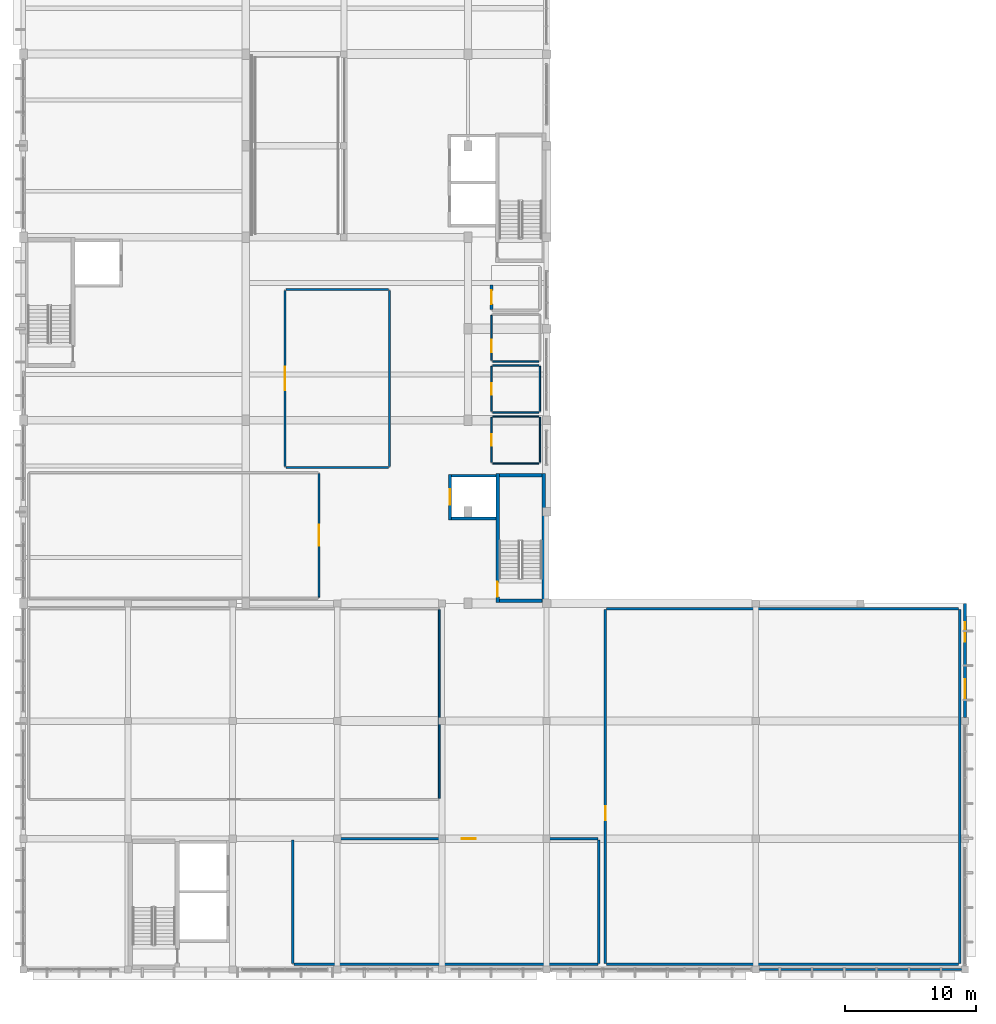
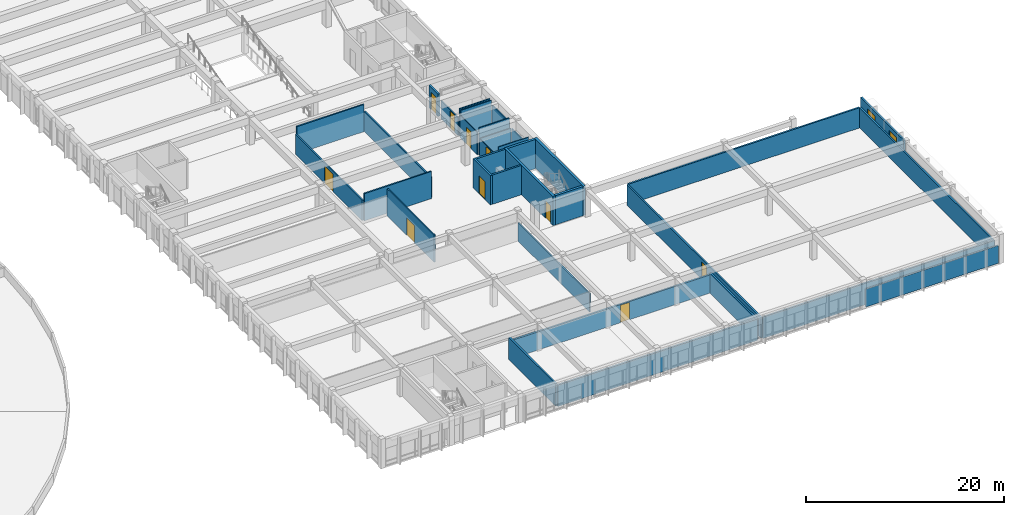
# One storey, part 60 of 77: 34 walls, 10 doors, 2 windows, 12 openings.
"""IFC4 building model written with IfcOpenShell, lengths in metres."""

from ifc_helpers import new_model, si_unit, direction, frame, frame_2d, origin, place, context, subcontext, project, spatial, rectangle, extrude, material, layer, layer_set, type_object, element, fill, save


model = new_model("IFC4")

# Units and contexts
model_context = context("Model", 3, precision=1e-05, world=origin(), true_north=direction((0.0, 1.0)))
body_context = subcontext(model_context, "Body", "Model", "MODEL_VIEW")
ifc_project = project(units=[si_unit("LENGTHUNIT", "METRE"), si_unit("AREAUNIT", "SQUARE_METRE"), si_unit("VOLUMEUNIT", "CUBIC_METRE"), si_unit("PLANEANGLEUNIT", "RADIAN"), si_unit("MASSUNIT", "GRAM", prefix="KILO")], contexts=[model_context])

# Site, building, storey
site_placement = place(None, origin())
site = spatial("IfcSite", under=ifc_project, at=site_placement, CompositionType="ELEMENT")
building_placement = place(site_placement, origin())
building = spatial("IfcBuilding", under=site, at=building_placement, Name="Larkveld Mobility Hub", CompositionType="ELEMENT")
storey_placement = place(building_placement, frame((0.0, 0.0, 12.0)))
storey = spatial("IfcBuildingStorey", under=building, at=storey_placement, Name="L03", CompositionType="ELEMENT", Elevation=12.0)

# Wall
ifc_material_1 = material(Name="Glazed architectural ceramic masonry 20 MPa", Category="masonry")
ifc_layer_1 = layer(ifc_material_1, 0.179931640625, Name="Glazed architectural ceramic masonry 20 MPa", Category="masonry")
ifc_layer_set_1 = layer_set([ifc_layer_1], Name="Glazed architectural ceramic masonry 20 MPa")
wall_type_1 = type_object("IfcWallType", Name="WL-COB-180", PredefinedType="USERDEFINED", material=ifc_layer_set_1)
wall_1_placement = place(storey_placement, frame((168.284912109375, 0.0, 0.0), z_axis=(0.0, 0.0, 1.0), x_axis=(1.0, 0.0, 0.0)))
element("IfcWall", 1, at=wall_1_placement, inside=storey, type_object=wall_type_1, Name="Service Wing South Ventilated Facade L03-0211", ObjectType="CERAMIC COBOGO SCREEN", PredefinedType="USERDEFINED", context=body_context, shape_type="SweptSolid", body=[
    extrude(rectangle(XDim=15.43017578125, YDim=0.179931640625, at=frame_2d((7.715087890625, 0.0))), origin(), (0.0, 0.0, 1.0), 2.195068359375),
])

# Wall, openings, windows
ifc_layer_2 = layer(ifc_material_1, 0.2099609375, Name="Glazed architectural ceramic masonry 20 MPa", Category="masonry")
ifc_layer_set_2 = layer_set([ifc_layer_2], Name="Glazed architectural ceramic masonry 20 MPa")
wall_type_2 = type_object("IfcWallType", Name="WL-COB-210", PredefinedType="USERDEFINED", material=ifc_layer_set_2)
wall_2_placement = place(storey_placement, frame((184.0, 19.284912109375, 0.0), z_axis=(0.0, 0.0, 1.0), x_axis=(0.0, 1.0, 0.0)))
wall_2 = element("IfcWall", 2, at=wall_2_placement, inside=storey, type_object=wall_type_2, Name="Service Wing East Cobogo Screen L03-0212", ObjectType="CERAMIC COBOGO SCREEN", PredefinedType="USERDEFINED", context=body_context, shape_type="SweptSolid", body=[
    extrude(rectangle(XDim=8.715087890625, YDim=0.2099609375, at=frame_2d((4.357421875, 0.0))), origin(), (0.0, 0.0, 1.0), 3.3349609375),
])
opening_1_placement = place(wall_2_placement, frame((1.428955078125, 0.0, 0.949951171875)))
opening_1 = element("IfcOpeningElement", 3, at=opening_1_placement, cuts=wall_2, Name="Opening W11", PredefinedType="OPENING", context=body_context, shape_type="SweptSolid", body=[
    extrude(rectangle(XDim=1.5, YDim=1.800048828125, at=frame_2d((0.75, 0.89990234375))), frame((0.0, 0.114990234375, 0.0), z_axis=(0.0, -1.0, 0.0), x_axis=(1.0, 0.0, 0.0)), (0.0, 0.0, 1.0), 0.22998046875),
])
opening_2_placement = place(wall_2_placement, frame((5.785888671875, 0.0, 0.949951171875)))
opening_2 = element("IfcOpeningElement", 4, at=opening_2_placement, cuts=wall_2, Name="Opening W11", PredefinedType="OPENING", context=body_context, shape_type="SweptSolid", body=[
    extrude(rectangle(XDim=1.5, YDim=1.800048828125, at=frame_2d((0.75, 0.89990234375))), frame((0.0, 0.114990234375, 0.0), z_axis=(0.0, -1.0, 0.0), x_axis=(1.0, 0.0, 0.0)), (0.0, 0.0, 1.0), 0.22998046875),
])
ifc_material_2 = material(Name="Low-E double glazing in aluminium frame", Category="aluminium")
window_type = type_object("IfcWindowType", Name="WN-ALU-11", PartitioningType="SINGLE_PANEL", PredefinedType="WINDOW", material=ifc_material_2)
window_1_placement = place(opening_1_placement, origin())
window_1 = element("IfcWindow", 5, at=window_1_placement, inside=storey, type_object=window_type, Name="Window W11 (1007)", OverallHeight=1.800048828125, OverallWidth=1.5, PartitioningType="SINGLE_PANEL", PredefinedType="WINDOW", context=body_context, shape_type="SweptSolid", body=[
    extrude(rectangle(XDim=1.5, YDim=1.800048828125, at=frame_2d((0.75, 0.89990234375))), frame((0.0, 0.030029296875, 0.0), z_axis=(0.0, -1.0, 0.0), x_axis=(1.0, 0.0, 0.0)), (0.0, 0.0, 1.0), 0.06005859375),
])
fill(opening_1, window_1)
window_2_placement = place(opening_2_placement, origin())
window_2 = element("IfcWindow", 6, at=window_2_placement, inside=storey, type_object=window_type, Name="Window W11 (1008)", OverallHeight=1.800048828125, OverallWidth=1.5, PartitioningType="SINGLE_PANEL", PredefinedType="WINDOW", context=body_context, shape_type="SweptSolid", body=[
    extrude(rectangle(XDim=1.5, YDim=1.800048828125, at=frame_2d((0.75, 0.89990234375))), frame((0.0, 0.030029296875, 0.0), z_axis=(0.0, -1.0, 0.0), x_axis=(1.0, 0.0, 0.0)), (0.0, 0.0, 1.0), 0.06005859375),
])
fill(opening_2, window_2)

# Wall, opening, door
ifc_material_3 = material(Name="Concrete C40/50", Category="concrete")
ifc_layer_3 = layer(ifc_material_3, 0.280029296875, Name="Concrete C40/50", Category="concrete")
ifc_layer_set_3 = layer_set([ifc_layer_3], Name="Concrete C40/50")
wall_type_3 = type_object("IfcWallType", Name="WL-CORE-280", PredefinedType="SHEAR", material=ifc_layer_set_3)
wall_3_placement = place(storey_placement, frame((148.260009765625, 28.070068359375, 0.0), z_axis=(0.0, 0.0, 1.0), x_axis=(0.0, 1.0, 0.0)))
wall_3 = element("IfcWall", 7, at=wall_3_placement, inside=storey, type_object=wall_type_3, Name="Core C1 Stair Shear Wall L03-W", PredefinedType="SHEAR", context=body_context, shape_type="SweptSolid", body=[
    extrude(rectangle(XDim=9.85986328125, YDim=0.280029296875, at=frame_2d((4.929931640625, 0.0))), origin(), (0.0, 0.0, 1.0), 3.60009765625),
])
opening_3_placement = place(wall_3_placement, frame((0.429931640625, 0.0, 0.0)))
opening_3 = element("IfcOpeningElement", 8, at=opening_3_placement, cuts=wall_3, Name="Opening DF01", PredefinedType="OPENING", context=body_context, shape_type="SweptSolid", body=[
    extrude(rectangle(XDim=1.14990234375, YDim=2.14990234375, at=frame_2d((0.574951171875, 1.074951171875))), frame((0.0, 0.14990234375, 0.0), z_axis=(0.0, -1.0, 0.0), x_axis=(1.0, 0.0, 0.0)), (0.0, 0.0, 1.0), 0.300048828125),
])
ifc_material_4 = material(Name="Pressed Steel S355JR fire door assembly", Category="steel")
door_type_1 = type_object("IfcDoorType", Name="DR-FD120", OperationType="NOTDEFINED", PredefinedType="DOOR", material=ifc_material_4)
door_1_placement = place(opening_3_placement, origin())
door_1 = element("IfcDoor", 9, at=door_1_placement, inside=storey, type_object=door_type_1, Name="Stair ST1 Fire Door L03", OperationType="SINGLE_SWING_LEFT", OverallHeight=2.14990234375, OverallWidth=1.14990234375, PredefinedType="DOOR", context=body_context, shape_type="SweptSolid", body=[
    extrude(rectangle(XDim=1.14990234375, YDim=2.14990234375, at=frame_2d((0.574951171875, 1.074951171875))), frame((0.0, 0.02490234375, 0.0), z_axis=(0.0, -1.0, 0.0), x_axis=(1.0, 0.0, 0.0)), (0.0, 0.0, 1.0), 0.050048828125),
])
fill(opening_3, door_1)

# Walls
wall_4_placement = place(storey_placement, frame((151.7900390625, 37.929931640625, 0.0), z_axis=(0.0, 0.0, 1.0), x_axis=(0.0, -1.0, 0.0)))
element("IfcWall", 10, at=wall_4_placement, inside=storey, type_object=wall_type_3, Name="Core C1 Stair Shear Wall L03-E", PredefinedType="SHEAR", context=body_context, shape_type="SweptSolid", body=[
    extrude(rectangle(XDim=9.85986328125, YDim=0.280029296875, at=frame_2d((4.929931640625, 0.0))), origin(), (0.0, 0.0, 1.0), 3.60009765625),
])
for number, where, z_axis, x_axis, name in (
    (11, (151.64990234375, 28.2099609375, 0.0), (0.0, 0.0, 1.0), (-1.0, 0.0, 0.0), "Core C1 Stair Shear Wall L03-S"),
    (12, (148.39990234375, 37.7900390625, 0.0), (0.0, 0.0, 1.0), (1.0, 0.0, 0.0), "Core C1 Stair Shear Wall L03-N"),
):
    element("IfcWall", number, at=place(storey_placement, frame(where, z_axis=z_axis, x_axis=x_axis)), inside=storey, type_object=wall_type_3, Name=name, PredefinedType="SHEAR", context=body_context, shape_type="SweptSolid", body=[
        extrude(rectangle(XDim=3.25, YDim=0.280029296875, at=frame_2d((1.625, 0.0))), origin(), (0.0, 0.0, 1.0), 3.60009765625),
    ])
ifc_material_5 = material(Name="Concrete blockwork masonry 14 MPa", Category="masonry")
ifc_layer_4 = layer(ifc_material_5, 0.10009765625, Name="Concrete blockwork masonry 14 MPa", Category="masonry")
ifc_layer_set_4 = layer_set([ifc_layer_4], Name="Concrete blockwork masonry 14 MPa")
wall_type_4 = type_object("IfcWallType", Name="WL-PRT-100", PredefinedType="PARTITIONING", material=ifc_layer_set_4)
wall_5_placement = place(storey_placement, frame((147.8798828125, 38.699951171875, 0.0), z_axis=(0.0, 0.0, 1.0), x_axis=(1.0, 0.0, 0.0)))
element("IfcWall", 13, at=wall_5_placement, inside=storey, type_object=wall_type_4, Name="Male Public Toilet Partition 0159", PredefinedType="PARTITIONING", context=body_context, shape_type="SweptSolid", body=[
    extrude(rectangle(XDim=3.5341796875, YDim=0.10009765625, at=frame_2d((1.76708984375, 0.0))), origin(), (0.0, 0.0, 1.0), 3.344970703125),
])
wall_6_placement = place(storey_placement, frame((147.8798828125, 42.2939453125, 0.0), z_axis=(0.0, 0.0, 1.0), x_axis=(1.0, 0.0, 0.0)))
element("IfcWall", 14, at=wall_6_placement, inside=storey, type_object=wall_type_4, Name="Male Public Toilet Partition 0160", PredefinedType="PARTITIONING", context=body_context, shape_type="SweptSolid", body=[
    extrude(rectangle(XDim=3.5341796875, YDim=0.10009765625, at=frame_2d((1.76708984375, 0.0))), origin(), (0.0, 0.0, 1.0), 2.2451171875),
])

# Wall, opening, door
wall_7_placement = place(storey_placement, frame((147.800048828125, 38.780029296875, 0.0), z_axis=(0.0, 0.0, 1.0), x_axis=(0.0, 1.0, 0.0)))
wall_7 = element("IfcWall", 15, at=wall_7_placement, inside=storey, type_object=wall_type_4, Name="Male Public Toilet Partition 0161", PredefinedType="PARTITIONING", context=body_context, shape_type="SweptSolid", body=[
    extrude(rectangle(XDim=3.43408203125, YDim=0.10009765625, at=frame_2d((1.717041015625, 0.0))), origin(), (0.0, 0.0, 1.0), 2.2451171875),
])
opening_4_placement = place(wall_7_placement, frame((1.26708984375, 0.0, 0.0)))
opening_4 = element("IfcOpeningElement", 16, at=opening_4_placement, cuts=wall_7, Name="Opening DI01", PredefinedType="OPENING", context=body_context, shape_type="SweptSolid", body=[
    extrude(rectangle(XDim=0.89990234375, YDim=2.10009765625, at=frame_2d((0.449951171875, 1.050048828125))), frame((0.0, 0.06005859375, 0.0), z_axis=(0.0, -1.0, 0.0), x_axis=(1.0, 0.0, 0.0)), (0.0, 0.0, 1.0), 0.1201171875),
])
ifc_material_6 = material(Name="Solid-core hardwood timber door in aluminium frame", Category="wood")
door_type_2 = type_object("IfcDoorType", Name="DR-INT-090", OperationType="NOTDEFINED", PredefinedType="DOOR", material=ifc_material_6)
door_2_placement = place(opening_4_placement, origin())
door_2 = element("IfcDoor", 17, at=door_2_placement, inside=storey, type_object=door_type_2, Name="Male Public Toilet Door 0041", OperationType="SINGLE_SWING_RIGHT", OverallHeight=2.10009765625, OverallWidth=0.89990234375, PredefinedType="DOOR", context=body_context, shape_type="SweptSolid", body=[
    extrude(rectangle(XDim=0.89990234375, YDim=2.10009765625, at=frame_2d((0.449951171875, 1.050048828125))), frame((0.0, 0.02490234375, 0.0), z_axis=(0.0, -1.0, 0.0), x_axis=(1.0, 0.0, 0.0)), (0.0, 0.0, 1.0), 0.050048828125),
])
fill(opening_4, door_2)

# Walls
wall_8_placement = place(storey_placement, frame((151.493896484375, 38.780029296875, 0.0), z_axis=(0.0, 0.0, 1.0), x_axis=(0.0, 1.0, 0.0)))
element("IfcWall", 18, at=wall_8_placement, inside=storey, type_object=wall_type_4, Name="Male Public Toilet Partition 0162", PredefinedType="PARTITIONING", context=body_context, shape_type="SweptSolid", body=[
    extrude(rectangle(XDim=3.43408203125, YDim=0.10009765625, at=frame_2d((1.717041015625, 0.0))), origin(), (0.0, 0.0, 1.0), 2.2451171875),
])
ifc_layer_5 = layer(ifc_material_5, 0.110107421875, Name="Concrete blockwork masonry 14 MPa", Category="masonry")
ifc_layer_set_5 = layer_set([ifc_layer_5], Name="Concrete blockwork masonry 14 MPa")
wall_type_5 = type_object("IfcWallType", Name="WL-PRT-110", PredefinedType="PARTITIONING", material=ifc_layer_set_5)
for number, where, z_axis, x_axis, name in (
    (19, (147.8798828125, 42.60009765625, 0.0), (0.0, 0.0, 1.0), (1.0, 0.0, 0.0), "Female Public Toilet Partition 0163"),
    (20, (147.8798828125, 46.194091796875, 0.0), (0.0, 0.0, 1.0), (1.0, 0.0, 0.0), "Female Public Toilet Partition 0164"),
):
    element("IfcWall", number, at=place(storey_placement, frame(where, z_axis=z_axis, x_axis=x_axis)), inside=storey, type_object=wall_type_5, Name=name, PredefinedType="PARTITIONING", context=body_context, shape_type="SweptSolid", body=[
        extrude(rectangle(XDim=3.5341796875, YDim=0.110107421875, at=frame_2d((1.76708984375, 0.0))), origin(), (0.0, 0.0, 1.0), 3.344970703125),
    ])

# Wall, opening, door
wall_9_placement = place(storey_placement, frame((147.800048828125, 42.679931640625, 0.0), z_axis=(0.0, 0.0, 1.0), x_axis=(0.0, 1.0, 0.0)))
wall_9 = element("IfcWall", 21, at=wall_9_placement, inside=storey, type_object=wall_type_5, Name="Female Public Toilet Partition 0165", PredefinedType="PARTITIONING", context=body_context, shape_type="SweptSolid", body=[
    extrude(rectangle(XDim=3.43408203125, YDim=0.110107421875, at=frame_2d((1.717041015625, 0.0))), origin(), (0.0, 0.0, 1.0), 2.7548828125),
])
opening_5_placement = place(wall_9_placement, frame((1.26708984375, 0.0, 0.0)))
opening_5 = element("IfcOpeningElement", 22, at=opening_5_placement, cuts=wall_9, Name="Opening DI01", PredefinedType="OPENING", context=body_context, shape_type="SweptSolid", body=[
    extrude(rectangle(XDim=0.89990234375, YDim=2.10009765625, at=frame_2d((0.449951171875, 1.050048828125))), frame((0.0, 0.06494140625, 0.0), z_axis=(0.0, -1.0, 0.0), x_axis=(1.0, 0.0, 0.0)), (0.0, 0.0, 1.0), 0.130126953125),
])
door_3_placement = place(opening_5_placement, origin())
door_3 = element("IfcDoor", 23, at=door_3_placement, inside=storey, type_object=door_type_2, Name="Female Public Toilet Door 0042", OperationType="SINGLE_SWING_LEFT", OverallHeight=2.10009765625, OverallWidth=0.89990234375, PredefinedType="DOOR", context=body_context, shape_type="SweptSolid", body=[
    extrude(rectangle(XDim=0.89990234375, YDim=2.10009765625, at=frame_2d((0.449951171875, 1.050048828125))), frame((0.0, 0.02490234375, 0.0), z_axis=(0.0, -1.0, 0.0), x_axis=(1.0, 0.0, 0.0)), (0.0, 0.0, 1.0), 0.050048828125),
])
fill(opening_5, door_3)

# Walls
wall_10_placement = place(storey_placement, frame((151.493896484375, 42.679931640625, 0.0), z_axis=(0.0, 0.0, 1.0), x_axis=(0.0, 1.0, 0.0)))
element("IfcWall", 24, at=wall_10_placement, inside=storey, type_object=wall_type_5, Name="Female Public Toilet Partition 0166", PredefinedType="PARTITIONING", context=body_context, shape_type="SweptSolid", body=[
    extrude(rectangle(XDim=3.43408203125, YDim=0.110107421875, at=frame_2d((1.717041015625, 0.0))), origin(), (0.0, 0.0, 1.0), 2.7548828125),
])
ifc_layer_6 = layer(ifc_material_5, 0.1201171875, Name="Concrete blockwork masonry 14 MPa", Category="masonry")
ifc_layer_set_6 = layer_set([ifc_layer_6], Name="Concrete blockwork masonry 14 MPa")
wall_type_6 = type_object("IfcWallType", Name="WL-PRT-120", PredefinedType="PARTITIONING", material=ifc_layer_set_6)
wall_11_placement = place(storey_placement, frame((147.8798828125, 46.5, 0.0), z_axis=(0.0, 0.0, 1.0), x_axis=(1.0, 0.0, 0.0)))
element("IfcWall", 25, at=wall_11_placement, inside=storey, type_object=wall_type_6, Name="Accessible Unisex Toilet Partition 0167", PredefinedType="PARTITIONING", context=body_context, shape_type="SweptSolid", body=[
    extrude(rectangle(XDim=3.5341796875, YDim=0.1201171875, at=frame_2d((1.76708984375, 0.0))), origin(), (0.0, 0.0, 1.0), 3.344970703125),
])

# Wall, opening, door
wall_12_placement = place(storey_placement, frame((147.800048828125, 46.580078125, 0.0), z_axis=(0.0, 0.0, 1.0), x_axis=(0.0, 1.0, 0.0)))
wall_12 = element("IfcWall", 26, at=wall_12_placement, inside=storey, type_object=wall_type_6, Name="Accessible Unisex Toilet Partition 0169", PredefinedType="PARTITIONING", context=body_context, shape_type="SweptSolid", body=[
    extrude(rectangle(XDim=3.433837890625, YDim=0.1201171875, at=frame_2d((1.716796875, 0.0))), origin(), (0.0, 0.0, 1.0), 2.2451171875),
])
opening_6_placement = place(wall_12_placement, frame((0.6298828125, 0.0, 0.0)))
opening_6 = element("IfcOpeningElement", 27, at=opening_6_placement, cuts=wall_12, Name="Opening DI02", PredefinedType="OPENING", context=body_context, shape_type="SweptSolid", body=[
    extrude(rectangle(XDim=0.949951171875, YDim=2.10009765625, at=frame_2d((0.47509765625, 1.050048828125))), frame((0.0, 0.070068359375, 0.0), z_axis=(0.0, -1.0, 0.0), x_axis=(1.0, 0.0, 0.0)), (0.0, 0.0, 1.0), 0.14013671875),
])
door_type_3 = type_object("IfcDoorType", Name="DR-INT-095", OperationType="NOTDEFINED", PredefinedType="DOOR", material=ifc_material_6)
door_4_placement = place(opening_6_placement, origin())
door_4 = element("IfcDoor", 28, at=door_4_placement, inside=storey, type_object=door_type_3, Name="Accessible Unisex Toilet Door 0043", OperationType="SINGLE_SWING_RIGHT", OverallHeight=2.10009765625, OverallWidth=0.949951171875, PredefinedType="DOOR", context=body_context, shape_type="SweptSolid", body=[
    extrude(rectangle(XDim=0.949951171875, YDim=2.10009765625, at=frame_2d((0.47509765625, 1.050048828125))), frame((0.0, 0.02490234375, 0.0), z_axis=(0.0, -1.0, 0.0), x_axis=(1.0, 0.0, 0.0)), (0.0, 0.0, 1.0), 0.050048828125),
])
fill(opening_6, door_4)

# Wall
ifc_layer_7 = layer(ifc_material_5, 0.139892578125, Name="Concrete blockwork masonry 14 MPa", Category="masonry")
ifc_layer_set_7 = layer_set([ifc_layer_7], Name="Concrete blockwork masonry 14 MPa")
wall_type_7 = type_object("IfcWallType", Name="WL-PRT-140", PredefinedType="PARTITIONING", material=ifc_layer_set_7)
wall_13_placement = place(storey_placement, frame((143.800048828125, 13.080078125, 0.0), z_axis=(0.0, 0.0, 1.0), x_axis=(0.0, 1.0, 0.0)))
element("IfcWall", 29, at=wall_13_placement, inside=storey, type_object=wall_type_7, Name="Fleet Reliability Engineering Office Partition 0195", PredefinedType="PARTITIONING", context=body_context, shape_type="SweptSolid", body=[
    extrude(rectangle(XDim=14.43994140625, YDim=0.139892578125, at=frame_2d((7.219970703125, 0.0))), origin(), (0.0, 0.0, 1.0), 2.2451171875),
])

# Wall, opening, door
ifc_layer_8 = layer(ifc_material_5, 0.14990234375, Name="Concrete blockwork masonry 14 MPa", Category="masonry")
ifc_layer_set_8 = layer_set([ifc_layer_8], Name="Concrete blockwork masonry 14 MPa")
wall_type_8 = type_object("IfcWallType", Name="WL-PRT-150", PredefinedType="PARTITIONING", material=ifc_layer_set_8)
wall_14_placement = place(storey_placement, frame((134.60009765625, 28.47998046875, 0.0), z_axis=(0.0, 0.0, 1.0), x_axis=(0.0, 1.0, 0.0)))
wall_14 = element("IfcWall", 30, at=wall_14_placement, inside=storey, type_object=wall_type_8, Name="Public Transport Customer Service Office Partition 0177", PredefinedType="PARTITIONING", context=body_context, shape_type="SweptSolid", body=[
    extrude(rectangle(XDim=9.43994140625, YDim=0.14990234375, at=frame_2d((4.719970703125, 0.0))), origin(), (0.0, 0.0, 1.0), 3.344970703125),
])
opening_7_placement = place(wall_14_placement, frame((3.919921875, 0.0, 0.0)))
opening_7 = element("IfcOpeningElement", 31, at=opening_7_placement, cuts=wall_14, Name="Opening DI09", PredefinedType="OPENING", context=body_context, shape_type="SweptSolid", body=[
    extrude(rectangle(XDim=1.60009765625, YDim=2.14990234375, at=frame_2d((0.800048828125, 1.074951171875))), frame((0.0, 0.0849609375, 0.0), z_axis=(0.0, -1.0, 0.0), x_axis=(1.0, 0.0, 0.0)), (0.0, 0.0, 1.0), 0.169921875),
])
door_type_4 = type_object("IfcDoorType", Name="DR-INT-160", OperationType="NOTDEFINED", PredefinedType="DOOR", material=ifc_material_6)
door_5_placement = place(opening_7_placement, origin())
door_5 = element("IfcDoor", 32, at=door_5_placement, inside=storey, type_object=door_type_4, Name="Public Transport Customer Service Office Door 0045", OperationType="DOUBLE_DOOR_SINGLE_SWING", OverallHeight=2.14990234375, OverallWidth=1.60009765625, PredefinedType="DOOR", context=body_context, shape_type="SweptSolid", body=[
    extrude(rectangle(XDim=1.60009765625, YDim=2.14990234375, at=frame_2d((0.800048828125, 1.074951171875))), frame((0.0, 0.02490234375, 0.0), z_axis=(0.0, -1.0, 0.0), x_axis=(1.0, 0.0, 0.0)), (0.0, 0.0, 1.0), 0.050048828125),
])
fill(opening_7, door_5)

# Walls
ifc_layer_9 = layer(ifc_material_5, 0.1650390625, Name="Concrete blockwork masonry 14 MPa", Category="masonry")
ifc_layer_set_9 = layer_set([ifc_layer_9], Name="Concrete blockwork masonry 14 MPa")
wall_type_9 = type_object("IfcWallType", Name="WL-PRT-165", PredefinedType="PARTITIONING", material=ifc_layer_set_9)
for number, where, z_axis, x_axis, name in (
    (33, (132.080078125, 38.39990234375, 0.0), (0.0, 0.0, 1.0), (1.0, 0.0, 0.0), "Commuter Reading Room and Parcel Locker Shop Partition 0178"),
    (34, (132.080078125, 52.0, 0.0), (0.0, 0.0, 1.0), (1.0, 0.0, 0.0), "Commuter Reading Room and Parcel Locker Shop Partition 0179"),
):
    element("IfcWall", number, at=place(storey_placement, frame(where, z_axis=z_axis, x_axis=x_axis)), inside=storey, type_object=wall_type_9, Name=name, PredefinedType="PARTITIONING", context=body_context, shape_type="SweptSolid", body=[
        extrude(rectangle(XDim=7.83984375, YDim=0.1650390625, at=frame_2d((3.919921875, 0.0))), origin(), (0.0, 0.0, 1.0), 3.344970703125),
    ])

# Wall, opening, door
wall_15_placement = place(storey_placement, frame((132.0, 38.47998046875, 0.0), z_axis=(0.0, 0.0, 1.0), x_axis=(0.0, 1.0, 0.0)))
wall_15 = element("IfcWall", 35, at=wall_15_placement, inside=storey, type_object=wall_type_9, Name="Commuter Reading Room and Parcel Locker Shop Partition 0180", PredefinedType="PARTITIONING", context=body_context, shape_type="SweptSolid", body=[
    extrude(rectangle(XDim=13.43994140625, YDim=0.1650390625, at=frame_2d((6.719970703125, 0.0))), origin(), (0.0, 0.0, 1.0), 2.4951171875),
])
opening_8_placement = place(wall_15_placement, frame((5.820068359375, 0.0, 0.0)))
opening_8 = element("IfcOpeningElement", 36, at=opening_8_placement, cuts=wall_15, Name="Opening DI10", PredefinedType="OPENING", context=body_context, shape_type="SweptSolid", body=[
    extrude(rectangle(XDim=1.800048828125, YDim=2.14990234375, at=frame_2d((0.89990234375, 1.074951171875))), frame((0.0, 0.092529296875, 0.0), z_axis=(0.0, -1.0, 0.0), x_axis=(1.0, 0.0, 0.0)), (0.0, 0.0, 1.0), 0.18505859375),
])
door_type_5 = type_object("IfcDoorType", Name="DR-INT-180", OperationType="NOTDEFINED", PredefinedType="DOOR", material=ifc_material_6)
door_6_placement = place(opening_8_placement, origin())
door_6 = element("IfcDoor", 37, at=door_6_placement, inside=storey, type_object=door_type_5, Name="Commuter Reading Room and Parcel Locker Shop Door 0046", OperationType="DOUBLE_DOOR_SINGLE_SWING", OverallHeight=2.14990234375, OverallWidth=1.800048828125, PredefinedType="DOOR", context=body_context, shape_type="SweptSolid", body=[
    extrude(rectangle(XDim=1.800048828125, YDim=2.14990234375, at=frame_2d((0.89990234375, 1.074951171875))), frame((0.0, 0.02490234375, 0.0), z_axis=(0.0, -1.0, 0.0), x_axis=(1.0, 0.0, 0.0)), (0.0, 0.0, 1.0), 0.050048828125),
])
fill(opening_8, door_6)

# Walls
wall_16_placement = place(storey_placement, frame((140.0, 38.47998046875, 0.0), z_axis=(0.0, 0.0, 1.0), x_axis=(0.0, 1.0, 0.0)))
element("IfcWall", 38, at=wall_16_placement, inside=storey, type_object=wall_type_9, Name="Commuter Reading Room and Parcel Locker Shop Partition 0181", PredefinedType="PARTITIONING", context=body_context, shape_type="SweptSolid", body=[
    extrude(rectangle(XDim=13.43994140625, YDim=0.1650390625, at=frame_2d((6.719970703125, 0.0))), origin(), (0.0, 0.0, 1.0), 2.4951171875),
])
ifc_layer_10 = layer(ifc_material_5, 0.195068359375, Name="Concrete blockwork masonry 14 MPa", Category="masonry")
ifc_layer_set_10 = layer_set([ifc_layer_10], Name="Concrete blockwork masonry 14 MPa")
wall_type_10 = type_object("IfcWallType", Name="WL-PRT-195", PredefinedType="PARTITIONING", material=ifc_layer_set_10)
wall_17_placement = place(storey_placement, frame((156.580078125, 0.39990234375, 0.0), z_axis=(0.0, 0.0, 1.0), x_axis=(1.0, 0.0, 0.0)))
element("IfcWall", 39, at=wall_17_placement, inside=storey, type_object=wall_type_10, Name="Central Chiller and Heat-Pump Plant Room Partition 0200", PredefinedType="PARTITIONING", context=body_context, shape_type="SweptSolid", body=[
    extrude(rectangle(XDim=26.933837890625, YDim=0.195068359375, at=frame_2d((13.466796875, 0.0))), origin(), (0.0, 0.0, 1.0), 2.64501953125),
])
wall_18_placement = place(storey_placement, frame((156.580078125, 27.593994140625, 0.0), z_axis=(0.0, 0.0, 1.0), x_axis=(1.0, 0.0, 0.0)))
element("IfcWall", 40, at=wall_18_placement, inside=storey, type_object=wall_type_10, Name="Central Chiller and Heat-Pump Plant Room Partition 0201", PredefinedType="PARTITIONING", context=body_context, shape_type="SweptSolid", body=[
    extrude(rectangle(XDim=26.933837890625, YDim=0.195068359375, at=frame_2d((13.466796875, 0.0))), origin(), (0.0, 0.0, 1.0), 2.4951171875),
])

# Wall, opening, door
wall_19_placement = place(storey_placement, frame((156.5, 0.47998046875, 0.0), z_axis=(0.0, 0.0, 1.0), x_axis=(0.0, 1.0, 0.0)))
wall_19 = element("IfcWall", 41, at=wall_19_placement, inside=storey, type_object=wall_type_10, Name="Central Chiller and Heat-Pump Plant Room Partition 0202", PredefinedType="PARTITIONING", context=body_context, shape_type="SweptSolid", body=[
    extrude(rectangle(XDim=27.033935546875, YDim=0.195068359375, at=frame_2d((13.51708984375, 0.0))), origin(), (0.0, 0.0, 1.0), 2.4951171875),
])
opening_9_placement = place(wall_19_placement, frame((10.93701171875, 0.0, 0.0)))
opening_9 = element("IfcOpeningElement", 42, at=opening_9_placement, cuts=wall_19, Name="Opening DF02", PredefinedType="OPENING", context=body_context, shape_type="SweptSolid", body=[
    extrude(rectangle(XDim=1.050048828125, YDim=2.14990234375, at=frame_2d((0.52490234375, 1.074951171875))), frame((0.0, 0.107421875, 0.0), z_axis=(0.0, -1.0, 0.0), x_axis=(1.0, 0.0, 0.0)), (0.0, 0.0, 1.0), 0.215087890625),
])
door_type_6 = type_object("IfcDoorType", Name="DR-FD60", OperationType="NOTDEFINED", PredefinedType="DOOR", material=ifc_material_4)
door_7_placement = place(opening_9_placement, origin())
door_7 = element("IfcDoor", 43, at=door_7_placement, inside=storey, type_object=door_type_6, Name="Central Chiller and Heat-Pump Plant Room Door 0051", OperationType="SINGLE_SWING_RIGHT", OverallHeight=2.14990234375, OverallWidth=1.050048828125, PredefinedType="DOOR", context=body_context, shape_type="SweptSolid", body=[
    extrude(rectangle(XDim=1.050048828125, YDim=2.14990234375, at=frame_2d((0.52490234375, 1.074951171875))), frame((0.0, 0.02490234375, 0.0), z_axis=(0.0, -1.0, 0.0), x_axis=(1.0, 0.0, 0.0)), (0.0, 0.0, 1.0), 0.050048828125),
])
fill(opening_9, door_7)

# Wall
wall_20_placement = place(storey_placement, frame((183.593994140625, 0.47998046875, 0.0), z_axis=(0.0, 0.0, 1.0), x_axis=(0.0, 1.0, 0.0)))
element("IfcWall", 44, at=wall_20_placement, inside=storey, type_object=wall_type_10, Name="Central Chiller and Heat-Pump Plant Room Partition 0203", PredefinedType="PARTITIONING", context=body_context, shape_type="SweptSolid", body=[
    extrude(rectangle(XDim=27.033935546875, YDim=0.195068359375, at=frame_2d((13.51708984375, 0.0))), origin(), (0.0, 0.0, 1.0), 2.4951171875),
])

# Wall, opening, door
ifc_layer_11 = layer(ifc_material_5, 0.2099609375, Name="Concrete blockwork masonry 14 MPa", Category="masonry")
ifc_layer_set_11 = layer_set([ifc_layer_11], Name="Concrete blockwork masonry 14 MPa")
wall_type_11 = type_object("IfcWallType", Name="WL-PRT-210", PredefinedType="PARTITIONING", material=ifc_layer_set_11)
wall_21_placement = place(storey_placement, frame((147.800048828125, 50.47998046875, 0.0), z_axis=(0.0, 0.0, 1.0), x_axis=(0.0, 1.0, 0.0)))
wall_21 = element("IfcWall", 45, at=wall_21_placement, inside=storey, type_object=wall_type_11, Name="Cleaners Store Room Partition 0172", PredefinedType="PARTITIONING", context=body_context, shape_type="SweptSolid", body=[
    extrude(rectangle(XDim=1.864013671875, YDim=0.2099609375, at=frame_2d((0.93212890625, 0.0))), origin(), (0.0, 0.0, 1.0), 2.7548828125),
])
opening_10_placement = place(wall_21_placement, frame((0.406982421875, 0.0, 0.0)))
opening_10 = element("IfcOpeningElement", 46, at=opening_10_placement, cuts=wall_21, Name="Opening DF02", PredefinedType="OPENING", context=body_context, shape_type="SweptSolid", body=[
    extrude(rectangle(XDim=1.050048828125, YDim=2.14990234375, at=frame_2d((0.52490234375, 1.074951171875))), frame((0.0, 0.114990234375, 0.0), z_axis=(0.0, -1.0, 0.0), x_axis=(1.0, 0.0, 0.0)), (0.0, 0.0, 1.0), 0.22998046875),
])
door_8_placement = place(opening_10_placement, origin())
door_8 = element("IfcDoor", 47, at=door_8_placement, inside=storey, type_object=door_type_6, Name="Cleaners Store Room Door 0044", OperationType="SINGLE_SWING_LEFT", OverallHeight=2.14990234375, OverallWidth=1.050048828125, PredefinedType="DOOR", context=body_context, shape_type="SweptSolid", body=[
    extrude(rectangle(XDim=1.050048828125, YDim=2.14990234375, at=frame_2d((0.52490234375, 1.074951171875))), frame((0.0, 0.02490234375, 0.0), z_axis=(0.0, -1.0, 0.0), x_axis=(1.0, 0.0, 0.0)), (0.0, 0.0, 1.0), 0.050048828125),
])
fill(opening_10, door_8)

# Wall
wall_22_placement = place(storey_placement, frame((132.679931640625, 0.39990234375, 0.0), z_axis=(0.0, 0.0, 1.0), x_axis=(1.0, 0.0, 0.0)))
element("IfcWall", 48, at=wall_22_placement, inside=storey, type_object=wall_type_11, Name="Transit Network Telemetry Archive Store Partition 0196", PredefinedType="PARTITIONING", context=body_context, shape_type="SweptSolid", body=[
    extrude(rectangle(XDim=23.239990234375, YDim=0.2099609375, at=frame_2d((11.6201171875, 0.0))), origin(), (0.0, 0.0, 1.0), 2.64501953125),
])

# Wall, opening, door
wall_23_placement = place(storey_placement, frame((132.679931640625, 10.0, 0.0), z_axis=(0.0, 0.0, 1.0), x_axis=(1.0, 0.0, 0.0)))
wall_23 = element("IfcWall", 49, at=wall_23_placement, inside=storey, type_object=wall_type_11, Name="Transit Network Telemetry Archive Store Partition 0197", PredefinedType="PARTITIONING", context=body_context, shape_type="SweptSolid", body=[
    extrude(rectangle(XDim=23.239990234375, YDim=0.2099609375, at=frame_2d((11.6201171875, 0.0))), origin(), (0.0, 0.0, 1.0), 2.2451171875),
])
opening_11_placement = place(wall_23_placement, frame((12.845947265625, 0.0, 0.0)))
opening_11 = element("IfcOpeningElement", 50, at=opening_11_placement, cuts=wall_23, Name="Opening DF02", PredefinedType="OPENING", context=body_context, shape_type="SweptSolid", body=[
    extrude(rectangle(XDim=1.050048828125, YDim=2.14990234375, at=frame_2d((0.52490234375, 1.074951171875))), frame((0.0, 0.114990234375, 0.0), z_axis=(0.0, -1.0, 0.0), x_axis=(1.0, 0.0, 0.0)), (0.0, 0.0, 1.0), 0.22998046875),
])
door_9_placement = place(opening_11_placement, origin())
door_9 = element("IfcDoor", 51, at=door_9_placement, inside=storey, type_object=door_type_6, Name="Transit Network Telemetry Archive Store Door 0050", OperationType="SINGLE_SWING_LEFT", OverallHeight=2.14990234375, OverallWidth=1.050048828125, PredefinedType="DOOR", context=body_context, shape_type="SweptSolid", body=[
    extrude(rectangle(XDim=1.050048828125, YDim=2.14990234375, at=frame_2d((0.52490234375, 1.074951171875))), frame((0.0, 0.02490234375, 0.0), z_axis=(0.0, -1.0, 0.0), x_axis=(1.0, 0.0, 0.0)), (0.0, 0.0, 1.0), 0.050048828125),
])
fill(opening_11, door_9)

# Walls
wall_24_placement = place(storey_placement, frame((132.60009765625, 0.47998046875, 0.0), z_axis=(0.0, 0.0, 1.0), x_axis=(0.0, 1.0, 0.0)))
element("IfcWall", 52, at=wall_24_placement, inside=storey, type_object=wall_type_11, Name="Transit Network Telemetry Archive Store Partition 0198", PredefinedType="PARTITIONING", context=body_context, shape_type="SweptSolid", body=[
    extrude(rectangle(XDim=9.43994140625, YDim=0.2099609375, at=frame_2d((4.719970703125, 0.0))), origin(), (0.0, 0.0, 1.0), 2.7451171875),
])
wall_25_placement = place(storey_placement, frame((156.0, 0.47998046875, 0.0), z_axis=(0.0, 0.0, 1.0), x_axis=(0.0, 1.0, 0.0)))
element("IfcWall", 53, at=wall_25_placement, inside=storey, type_object=wall_type_11, Name="Transit Network Telemetry Archive Store Partition 0199", PredefinedType="PARTITIONING", context=body_context, shape_type="SweptSolid", body=[
    extrude(rectangle(XDim=9.43994140625, YDim=0.2099609375, at=frame_2d((4.719970703125, 0.0))), origin(), (0.0, 0.0, 1.0), 2.4951171875),
])

# Wall, opening, door
ifc_layer_12 = layer(ifc_material_3, 0.219970703125, Name="Concrete C40/50", Category="concrete")
ifc_layer_set_12 = layer_set([ifc_layer_12], Name="Concrete C40/50")
wall_type_12 = type_object("IfcWallType", Name="WL-SHF-220", PredefinedType="SHEAR", material=ifc_layer_set_12)
wall_26_placement = place(storey_placement, frame((144.610107421875, 34.3798828125, 0.0), z_axis=(0.0, 0.0, 1.0), x_axis=(0.0, 1.0, 0.0)))
wall_26 = element("IfcWall", 54, at=wall_26_placement, inside=storey, type_object=wall_type_12, Name="Lift FL1 Shaft Wall L03-W", PredefinedType="SHEAR", context=body_context, shape_type="SweptSolid", body=[
    extrude(rectangle(XDim=3.490234375, YDim=0.219970703125, at=frame_2d((1.7451171875, 0.0))), origin(), (0.0, 0.0, 1.0), 3.60009765625),
])
opening_12_placement = place(wall_26_placement, frame((1.14501953125, 0.0, 0.0)))
opening_12 = element("IfcOpeningElement", 55, at=opening_12_placement, cuts=wall_26, Name="Opening LD02", PredefinedType="OPENING", context=body_context, shape_type="SweptSolid", body=[
    extrude(rectangle(XDim=1.199951171875, YDim=2.199951171875, at=frame_2d((0.60009765625, 1.10009765625))), frame((0.0, 0.1201171875, 0.0), z_axis=(0.0, -1.0, 0.0), x_axis=(1.0, 0.0, 0.0)), (0.0, 0.0, 1.0), 0.239990234375),
])
ifc_material_7 = material(Name="Brushed stainless Steel S355JR sliding landing door", Category="steel")
door_type_7 = type_object("IfcDoorType", Name="DR-LD-120", OperationType="DOUBLE_DOOR_SLIDING", PredefinedType="DOOR", material=ifc_material_7)
door_10_placement = place(opening_12_placement, origin())
door_10 = element("IfcDoor", 56, at=door_10_placement, inside=storey, type_object=door_type_7, Name="Lift landing door FL1-L03", OperationType="DOUBLE_DOOR_SLIDING", OverallHeight=2.199951171875, OverallWidth=1.199951171875, PredefinedType="DOOR", context=body_context, shape_type="SweptSolid", body=[
    extrude(rectangle(XDim=1.199951171875, YDim=2.199951171875, at=frame_2d((0.60009765625, 1.10009765625))), frame((0.0, 0.02490234375, 0.0), z_axis=(0.0, -1.0, 0.0), x_axis=(1.0, 0.0, 0.0)), (0.0, 0.0, 1.0), 0.050048828125),
])
fill(opening_12, door_10)

# Walls
for number, where, z_axis, x_axis, name in (
    (57, (148.1201171875, 34.489990234375, 0.0), (0.0, 0.0, 1.0), (-1.0, 0.0, 0.0), "Lift FL1 Shaft Wall L03-S"),
    (58, (144.719970703125, 37.760009765625, 0.0), (0.0, 0.0, 1.0), (1.0, 0.0, 0.0), "Lift FL1 Shaft Wall L03-N"),
):
    element("IfcWall", number, at=place(storey_placement, frame(where, z_axis=z_axis, x_axis=x_axis)), inside=storey, type_object=wall_type_12, Name=name, PredefinedType="SHEAR", context=body_context, shape_type="SweptSolid", body=[
        extrude(rectangle(XDim=3.400146484375, YDim=0.219970703125, at=frame_2d((1.7001953125, 0.0))), origin(), (0.0, 0.0, 1.0), 3.60009765625),
    ])

save(model, "model.ifc")
